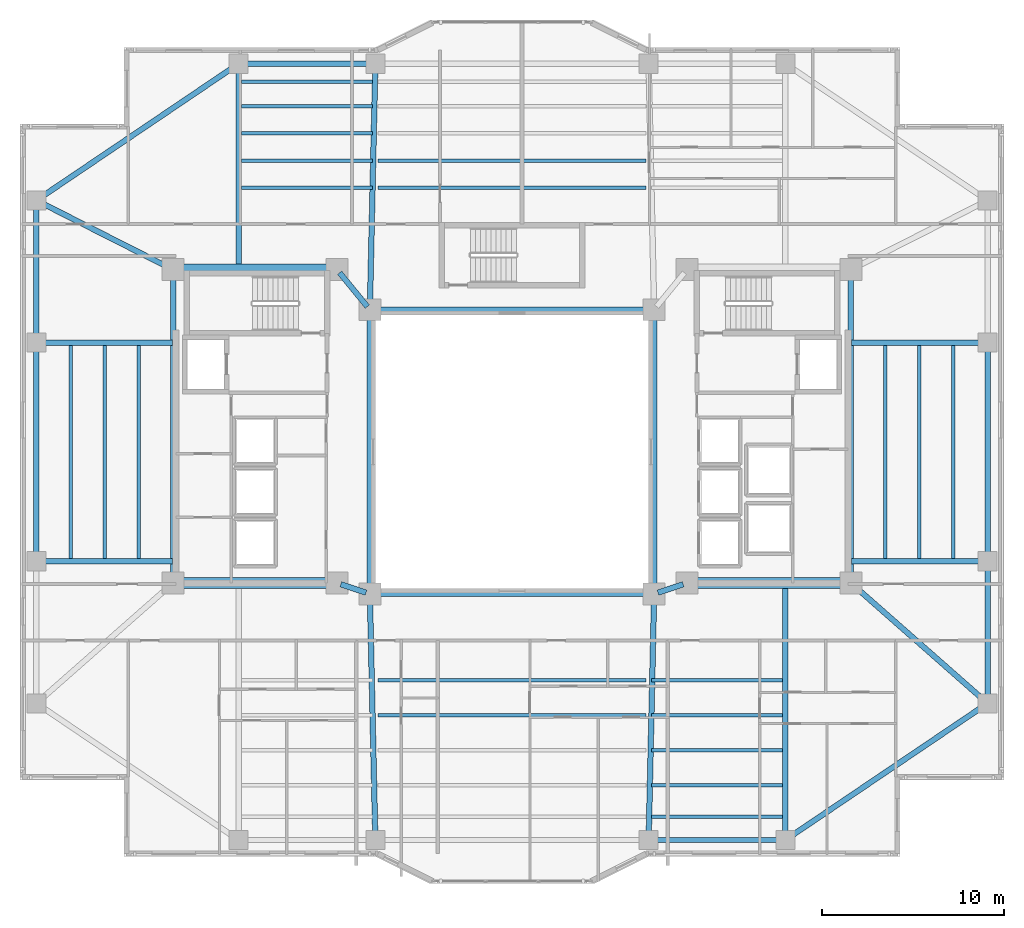
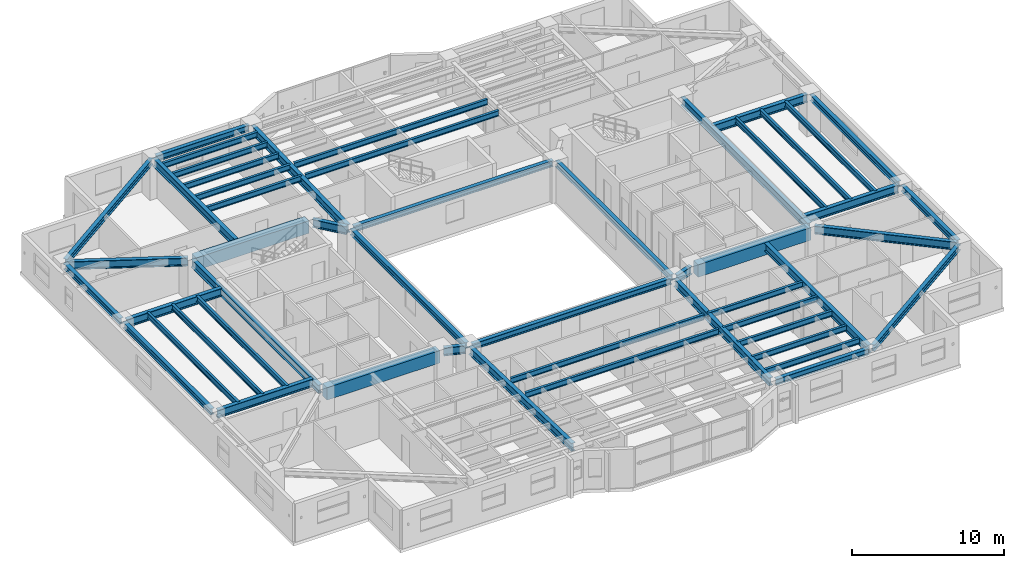
# One storey, part 3 of 18: 51 beams.
"""IFC4 building model written with IfcOpenShell, lengths in metres."""

from ifc_helpers import new_model, si_unit, direction, frame, origin, origin_2d, place, context, subcontext, project, spatial, rectangle, i_section, extrude, material, material_profile, profile_set, type_object, element, save


model = new_model("IFC4")

# Units and contexts
model_context = context("Model", 3, precision=1e-05, world=origin(), true_north=direction((0.0, 1.0)))
body_context = subcontext(model_context, "Body", "Model", "MODEL_VIEW")
ifc_project = project(units=[si_unit("LENGTHUNIT", "METRE"), si_unit("AREAUNIT", "SQUARE_METRE"), si_unit("VOLUMEUNIT", "CUBIC_METRE"), si_unit("PLANEANGLEUNIT", "RADIAN"), si_unit("MASSUNIT", "GRAM", prefix="KILO")], contexts=[model_context])

# Site, building, storey
site_placement = place(None, origin())
site = spatial("IfcSite", under=ifc_project, at=site_placement, CompositionType="ELEMENT")
building_placement = place(site_placement, origin())
building = spatial("IfcBuilding", under=site, at=building_placement, Name="Tarnavaz Court Tower", CompositionType="ELEMENT")
storey_placement = place(building_placement, frame((0.0, 0.0, 88.35009765625)))
storey = spatial("IfcBuildingStorey", under=building, at=storey_placement, Name="L23", CompositionType="ELEMENT", Elevation=88.35009765625)

# Beams
ifc_material_1 = material(Name="Concrete C60/75", Category="concrete")
ifc_material_profile_1 = material_profile(ifc_material_1, rectangle(XDim=0.60009765625, YDim=1.0, at=origin_2d()), Name="RC 600X1000")
ifc_profile_set_1 = profile_set([ifc_material_profile_1], Name="Concrete C60/75")
beam_type_1 = type_object("IfcBeamType", Name="BM-CB1000", PredefinedType="LINTEL", material=ifc_profile_set_1)
for number, where, z_axis, x_axis, name in (
    (1, (-18.3798828125, -7.199951171875, 2.599853515625), (1.0, 0.0, 0.0), (0.0, 1.0, 0.0), "L23 Beam IN-CW-SO-CW-SI"),
    (2, (-18.3798828125, 10.0, 2.599853515625), (1.0, 0.0, 0.0), (0.0, 1.0, 0.0), "L23 Beam IN-CW-NO-CW-NI"),
    (3, (18.3798828125, -7.199951171875, 2.599853515625), (-1.0, 0.0, 0.0), (0.0, -1.0, 0.0), "L23 Beam IN-CE-SO-CE-SI"),
):
    element("IfcBeam", number, at=place(storey_placement, frame(where, z_axis=z_axis, x_axis=x_axis)), inside=storey, type_object=beam_type_1, Name=name, PredefinedType="LINTEL", context=body_context, shape_type="SweptSolid", body=[
        extrude(rectangle(XDim=0.60009765625, YDim=1.0, at=origin_2d()), origin(), (0.0, 0.0, 1.0), 8.559814453125),
    ])
ifc_material_2 = material(Name="Steel S355", Category="steel")
ifc_material_profile_2 = material_profile(ifc_material_2, i_section(OverallWidth=0.300048828125, OverallDepth=0.64990234375, WebThickness=0.01611328125, FlangeThickness=0.031005859375, FilletRadius=0.027099609375, at=origin_2d()), Name="HEB 650")
ifc_profile_set_2 = profile_set([ifc_material_profile_2], Name="Steel S355")
beam_type_2 = type_object("IfcBeamType", Name="BM-G-HEB650", PredefinedType="USERDEFINED", material=ifc_profile_set_2)
for number, where, z_axis, x_axis, name in (
    (4, (-9.391357421875, -7.26953125, 2.77490234375), (0.948666544706, -0.316278021615, 0.0), (0.316278021615, 0.948666544706, 0.0), "L23 Beam IN-CW-SI-IW-SW"),
    (5, (9.391357421875, -7.26953125, 2.77490234375), (-0.948666544706, -0.316278021615, 0.0), (0.316278021615, -0.948666544706, 0.0), "L23 Beam IN-CE-SI-IW-SE"),
):
    element("IfcBeam", number, at=place(storey_placement, frame(where, z_axis=z_axis, x_axis=x_axis)), inside=storey, type_object=beam_type_2, Name=name, ObjectType="GIRDER", PredefinedType="USERDEFINED", context=body_context, shape_type="SweptSolid", body=[
        extrude(i_section(OverallWidth=0.300048828125, OverallDepth=0.64990234375, WebThickness=0.01611328125, FlangeThickness=0.031005859375, FilletRadius=0.027099609375, at=origin_2d()), origin(), (0.0, 0.0, 1.0), 1.457275390625),
    ])
beam_1_placement = place(storey_placement, frame((-9.460693359375, 9.82958984375, 2.77490234375), z_axis=(0.633282058357, -0.773921077735, 0.0), x_axis=(0.773921077735, 0.633282058357, 0.0)))
element("IfcBeam", 6, at=beam_1_placement, inside=storey, type_object=beam_type_2, Name="L23 Beam IN-CW-NI-IW-NW", ObjectType="GIRDER", PredefinedType="USERDEFINED", context=body_context, shape_type="SweptSolid", body=[
    extrude(i_section(OverallWidth=0.300048828125, OverallDepth=0.64990234375, WebThickness=0.01611328125, FlangeThickness=0.031005859375, FilletRadius=0.027099609375, at=origin_2d()), origin(), (0.0, 0.0, 1.0), 2.402587890625),
])
for number, where, z_axis, x_axis, name in (
    (7, (-18.60009765625, -6.97998046875, 2.77490234375), (0.0, 1.0, 0.0), (-1.0, 0.0, 0.0), "L23 Beam IN-CW-SO-CW-NO"),
    (8, (18.60009765625, -6.97998046875, 2.77490234375), (0.0, 1.0, 0.0), (-1.0, 0.0, 0.0), "L23 Beam IN-CE-SO-CE-NO"),
):
    element("IfcBeam", number, at=place(storey_placement, frame(where, z_axis=z_axis, x_axis=x_axis)), inside=storey, type_object=beam_type_2, Name=name, ObjectType="GIRDER", PredefinedType="USERDEFINED", context=body_context, shape_type="SweptSolid", body=[
        extrude(i_section(OverallWidth=0.300048828125, OverallDepth=0.64990234375, WebThickness=0.01611328125, FlangeThickness=0.031005859375, FilletRadius=0.027099609375, at=origin_2d()), origin(), (0.0, 0.0, 1.0), 16.760009765625),
    ])
beam_2_placement = place(storey_placement, frame((-15.0, 10.0400390625, 2.77490234375), z_axis=(0.0, 1.0, 0.0), x_axis=(-1.0, 0.0, 0.0)))
element("IfcBeam", 9, at=beam_2_placement, inside=storey, type_object=beam_type_2, Name="L23 Beam RG-01", ObjectType="GIRDER", PredefinedType="USERDEFINED", context=body_context, shape_type="SweptSolid", body=[
    extrude(i_section(OverallWidth=0.300048828125, OverallDepth=0.64990234375, WebThickness=0.01611328125, FlangeThickness=0.031005859375, FilletRadius=0.027099609375, at=origin_2d()), origin(), (0.0, 0.0, 1.0), 11.0400390625),
])
for number, where, z_axis, x_axis, name in (
    (10, (-7.795166015625, 8.02001953125, 2.77490234375), (0.022221303469, 0.99975307635, 0.0), (-0.99975307635, 0.022221303469, 0.0), "L23 Beam RG-02"),
    (11, (-7.795166015625, -8.02001953125, 2.77490234375), (0.022221303469, -0.99975307635, 0.0), (0.99975307635, 0.022221303469, 0.0), "L23 Beam RG-06"),
    (12, (7.795166015625, -8.02001953125, 2.77490234375), (-0.022221303469, -0.99975307635, 0.0), (0.99975307635, -0.022221303469, 0.0), "L23 Beam RG-07"),
):
    element("IfcBeam", number, at=place(storey_placement, frame(where, z_axis=z_axis, x_axis=x_axis)), inside=storey, type_object=beam_type_2, Name=name, ObjectType="GIRDER", PredefinedType="USERDEFINED", context=body_context, shape_type="SweptSolid", body=[
        extrude(i_section(OverallWidth=0.300048828125, OverallDepth=0.64990234375, WebThickness=0.01611328125, FlangeThickness=0.031005859375, FilletRadius=0.027099609375, at=origin_2d()), origin(), (0.0, 0.0, 1.0), 13.063232421875),
    ])
beam_3_placement = place(storey_placement, frame((15.0, -7.239990234375, 2.77490234375), z_axis=(0.0, -1.0, 0.0), x_axis=(1.0, 0.0, 0.0)))
element("IfcBeam", 13, at=beam_3_placement, inside=storey, type_object=beam_type_2, Name="L23 Beam RG-08", ObjectType="GIRDER", PredefinedType="USERDEFINED", context=body_context, shape_type="SweptSolid", body=[
    extrude(i_section(OverallWidth=0.300048828125, OverallDepth=0.64990234375, WebThickness=0.01611328125, FlangeThickness=0.031005859375, FilletRadius=0.027099609375, at=origin_2d()), origin(), (0.0, 0.0, 1.0), 13.840087890625),
])
for number, where, z_axis, x_axis, name in (
    (14, (18.639892578125, -6.0, 2.77490234375), (1.0, 0.0, 0.0), (0.0, 1.0, 0.0), "L23 Beam RG-09"),
    (15, (18.639892578125, 6.0, 2.77490234375), (1.0, 0.0, 0.0), (0.0, 1.0, 0.0), "L23 Beam RG-10"),
):
    element("IfcBeam", number, at=place(storey_placement, frame(where, z_axis=z_axis, x_axis=x_axis)), inside=storey, type_object=beam_type_2, Name=name, ObjectType="GIRDER", PredefinedType="USERDEFINED", context=body_context, shape_type="SweptSolid", body=[
        extrude(i_section(OverallWidth=0.300048828125, OverallDepth=0.64990234375, WebThickness=0.01611328125, FlangeThickness=0.031005859375, FilletRadius=0.027099609375, at=origin_2d()), origin(), (0.0, 0.0, 1.0), 7.239990234375),
    ])
beam_4_placement = place(storey_placement, frame((18.76513671875, -7.34521484375, 2.77490234375), z_axis=(0.750700332035, -0.660642877417, 0.0), x_axis=(0.660642877417, 0.750700332035, 0.0)))
element("IfcBeam", 16, at=beam_4_placement, inside=storey, type_object=beam_type_2, Name="L23 Beam RG-11", ObjectType="GIRDER", PredefinedType="USERDEFINED", context=body_context, shape_type="SweptSolid", body=[
    extrude(i_section(OverallWidth=0.300048828125, OverallDepth=0.64990234375, WebThickness=0.01611328125, FlangeThickness=0.031005859375, FilletRadius=0.027099609375, at=origin_2d()), origin(), (0.0, 0.0, 1.0), 9.550537109375),
])
for number, where, z_axis, x_axis, name in (
    (17, (-18.639892578125, -6.0, 2.77490234375), (-1.0, 0.0, 0.0), (0.0, -1.0, 0.0), "L23 Beam RG-13"),
    (18, (-18.639892578125, 6.0, 2.77490234375), (-1.0, 0.0, 0.0), (0.0, -1.0, 0.0), "L23 Beam RG-14"),
):
    element("IfcBeam", number, at=place(storey_placement, frame(where, z_axis=z_axis, x_axis=x_axis)), inside=storey, type_object=beam_type_2, Name=name, ObjectType="GIRDER", PredefinedType="USERDEFINED", context=body_context, shape_type="SweptSolid", body=[
        extrude(i_section(OverallWidth=0.300048828125, OverallDepth=0.64990234375, WebThickness=0.01611328125, FlangeThickness=0.031005859375, FilletRadius=0.027099609375, at=origin_2d()), origin(), (0.0, 0.0, 1.0), 7.239990234375),
    ])
beam_5_placement = place(storey_placement, frame((-18.796142578125, 10.099365234375, 2.77490234375), z_axis=(-0.892030669981, 0.451974870776, 0.0), x_axis=(-0.451974870776, -0.892030669981, 0.0)))
element("IfcBeam", 19, at=beam_5_placement, inside=storey, type_object=beam_type_2, Name="L23 Beam RG-16", ObjectType="GIRDER", PredefinedType="USERDEFINED", context=body_context, shape_type="SweptSolid", body=[
    extrude(i_section(OverallWidth=0.300048828125, OverallDepth=0.64990234375, WebThickness=0.01611328125, FlangeThickness=0.031005859375, FilletRadius=0.027099609375, at=origin_2d()), origin(), (0.0, 0.0, 1.0), 7.968017578125),
])
ifc_material_profile_3 = material_profile(ifc_material_2, i_section(OverallWidth=0.18994140625, OverallDepth=0.449951171875, WebThickness=0.009521484375, FlangeThickness=0.0146484375, FilletRadius=0.02099609375, at=origin_2d()), Name="IPE 450")
ifc_profile_set_3 = profile_set([ifc_material_profile_3], Name="Steel S355")
beam_type_3 = type_object("IfcBeamType", Name="BM-J-IPE450", PredefinedType="JOIST", material=ifc_profile_set_3)
beam_6_placement = place(storey_placement, frame((-14.85009765625, 14.493896484375, 2.875), z_axis=(1.0, 0.0, 0.0), x_axis=(0.0, 1.0, 0.0)))
element("IfcBeam", 20, at=beam_6_placement, inside=storey, type_object=beam_type_3, Name="L23 Beam JN1-1", PredefinedType="JOIST", context=body_context, shape_type="SweptSolid", body=[
    extrude(i_section(OverallWidth=0.18994140625, OverallDepth=0.449951171875, WebThickness=0.009521484375, FlangeThickness=0.0146484375, FilletRadius=0.02099609375, at=origin_2d()), origin(), (0.0, 0.0, 1.0), 7.2001953125),
])
for number, where, z_axis, x_axis, name in (
    (21, (-7.35009765625, 14.493896484375, 2.875), (1.0, 0.0, 0.0), (0.0, 1.0, 0.0), "L23 Beam JN1-2"),
    (22, (-7.35009765625, -12.52587890625, 2.875), (1.0, 0.0, 0.0), (0.0, 1.0, 0.0), "L23 Beam JS1-2"),
):
    element("IfcBeam", number, at=place(storey_placement, frame(where, z_axis=z_axis, x_axis=x_axis)), inside=storey, type_object=beam_type_3, Name=name, PredefinedType="JOIST", context=body_context, shape_type="SweptSolid", body=[
        extrude(i_section(OverallWidth=0.18994140625, OverallDepth=0.449951171875, WebThickness=0.009521484375, FlangeThickness=0.0146484375, FilletRadius=0.02099609375, at=origin_2d()), origin(), (0.0, 0.0, 1.0), 14.7001953125),
    ])
for number, where, z_axis, x_axis, name in (
    (23, (7.64990234375, -12.52587890625, 2.875), (1.0, 0.0, 0.0), (0.0, 1.0, 0.0), "L23 Beam JS1-3"),
    (24, (-14.85009765625, 15.988037109375, 2.875), (1.0, 0.0, 0.0), (0.0, 1.0, 0.0), "L23 Beam JN2-1"),
):
    element("IfcBeam", number, at=place(storey_placement, frame(where, z_axis=z_axis, x_axis=x_axis)), inside=storey, type_object=beam_type_3, Name=name, PredefinedType="JOIST", context=body_context, shape_type="SweptSolid", body=[
        extrude(i_section(OverallWidth=0.18994140625, OverallDepth=0.449951171875, WebThickness=0.009521484375, FlangeThickness=0.0146484375, FilletRadius=0.02099609375, at=origin_2d()), origin(), (0.0, 0.0, 1.0), 7.2001953125),
    ])
for number, where, z_axis, x_axis, name in (
    (25, (-7.35009765625, 15.988037109375, 2.875), (1.0, 0.0, 0.0), (0.0, 1.0, 0.0), "L23 Beam JN2-2"),
    (26, (-7.35009765625, -14.451904296875, 2.875), (1.0, 0.0, 0.0), (0.0, 1.0, 0.0), "L23 Beam JS2-2"),
):
    element("IfcBeam", number, at=place(storey_placement, frame(where, z_axis=z_axis, x_axis=x_axis)), inside=storey, type_object=beam_type_3, Name=name, PredefinedType="JOIST", context=body_context, shape_type="SweptSolid", body=[
        extrude(i_section(OverallWidth=0.18994140625, OverallDepth=0.449951171875, WebThickness=0.009521484375, FlangeThickness=0.0146484375, FilletRadius=0.02099609375, at=origin_2d()), origin(), (0.0, 0.0, 1.0), 14.7001953125),
    ])
for number, where, z_axis, x_axis, name in (
    (27, (7.64990234375, -14.451904296875, 2.875), (1.0, 0.0, 0.0), (0.0, 1.0, 0.0), "L23 Beam JS2-3"),
    (28, (-14.85009765625, 17.48193359375, 2.875), (1.0, 0.0, 0.0), (0.0, 1.0, 0.0), "L23 Beam JN3-1"),
    (29, (7.64990234375, -16.3779296875, 2.875), (1.0, 0.0, 0.0), (0.0, 1.0, 0.0), "L23 Beam JS3-3"),
    (30, (-14.85009765625, 18.97607421875, 2.875), (1.0, 0.0, 0.0), (0.0, 1.0, 0.0), "L23 Beam JN4-1"),
    (31, (7.64990234375, -18.303955078125, 2.875), (1.0, 0.0, 0.0), (0.0, 1.0, 0.0), "L23 Beam JS4-3"),
    (32, (-14.85009765625, 20.303955078125, 2.875), (1.0, 0.0, 0.0), (0.0, 1.0, 0.0), "L23 Beam JN5-1"),
    (33, (7.64990234375, -20.01611328125, 2.875), (1.0, 0.0, 0.0), (0.0, 1.0, 0.0), "L23 Beam JS5-3"),
):
    element("IfcBeam", number, at=place(storey_placement, frame(where, z_axis=z_axis, x_axis=x_axis)), inside=storey, type_object=beam_type_3, Name=name, PredefinedType="JOIST", context=body_context, shape_type="SweptSolid", body=[
        extrude(i_section(OverallWidth=0.18994140625, OverallDepth=0.449951171875, WebThickness=0.009521484375, FlangeThickness=0.0146484375, FilletRadius=0.02099609375, at=origin_2d()), origin(), (0.0, 0.0, 1.0), 7.2001953125),
    ])
for number, where, z_axis, x_axis, name in (
    (34, (20.47509765625, -5.9599609375, 2.875), (0.0, 1.0, 0.0), (-1.0, 0.0, 0.0), "L23 Beam JE1"),
    (35, (-20.47509765625, -5.9599609375, 2.875), (0.0, 1.0, 0.0), (-1.0, 0.0, 0.0), "L23 Beam JW1"),
    (36, (22.35009765625, -5.9599609375, 2.875), (0.0, 1.0, 0.0), (-1.0, 0.0, 0.0), "L23 Beam JE2"),
    (37, (-22.35009765625, -5.9599609375, 2.875), (0.0, 1.0, 0.0), (-1.0, 0.0, 0.0), "L23 Beam JW2"),
    (38, (24.22509765625, -5.9599609375, 2.875), (0.0, 1.0, 0.0), (-1.0, 0.0, 0.0), "L23 Beam JE3"),
    (39, (-24.22509765625, -5.9599609375, 2.875), (0.0, 1.0, 0.0), (-1.0, 0.0, 0.0), "L23 Beam JW3"),
):
    element("IfcBeam", number, at=place(storey_placement, frame(where, z_axis=z_axis, x_axis=x_axis)), inside=storey, type_object=beam_type_3, Name=name, PredefinedType="JOIST", context=body_context, shape_type="SweptSolid", body=[
        extrude(i_section(OverallWidth=0.18994140625, OverallDepth=0.449951171875, WebThickness=0.009521484375, FlangeThickness=0.0146484375, FilletRadius=0.02099609375, at=origin_2d()), origin(), (0.0, 0.0, 1.0), 11.919921875),
    ])
ifc_material_profile_4 = material_profile(ifc_material_2, i_section(OverallWidth=0.300048828125, OverallDepth=0.489990234375, WebThickness=0.011962890625, FlangeThickness=0.02294921875, FilletRadius=0.027099609375, at=origin_2d()), Name="HEA 500")
ifc_profile_set_4 = profile_set([ifc_material_profile_4], Name="Steel S355")
beam_type_4 = type_object("IfcBeamType", Name="BM-SP-HEA500", PredefinedType="SPANDREL", material=ifc_profile_set_4)
for number, where, z_axis, x_axis, name in (
    (40, (-7.580078125, -7.800048828125, 2.85498046875), (1.0, 0.0, 0.0), (0.0, 1.0, 0.0), "L23 Beam IN-IW-SW-IW-SE"),
    (41, (-7.580078125, 7.800048828125, 2.85498046875), (1.0, 0.0, 0.0), (0.0, 1.0, 0.0), "L23 Beam IN-IW-NW-IW-NE"),
    (42, (-7.800048828125, -7.580078125, 2.85498046875), (0.0, 1.0, 0.0), (-1.0, 0.0, 0.0), "L23 Beam IN-IW-SW-IW-NW"),
    (43, (7.800048828125, -7.580078125, 2.85498046875), (0.0, 1.0, 0.0), (-1.0, 0.0, 0.0), "L23 Beam IN-IW-SE-IW-NE"),
):
    element("IfcBeam", number, at=place(storey_placement, frame(where, z_axis=z_axis, x_axis=x_axis)), inside=storey, type_object=beam_type_4, Name=name, PredefinedType="SPANDREL", context=body_context, shape_type="SweptSolid", body=[
        extrude(i_section(OverallWidth=0.300048828125, OverallDepth=0.489990234375, WebThickness=0.011962890625, FlangeThickness=0.02294921875, FilletRadius=0.027099609375, at=origin_2d()), origin(), (0.0, 0.0, 1.0), 15.16015625),
    ])
for number, where, z_axis, x_axis, name in (
    (44, (-14.780029296875, 21.300048828125, 2.85498046875), (1.0, 0.0, 0.0), (0.0, 1.0, 0.0), "L23 Beam PR-PN-1-PN-2"),
    (45, (7.719970703125, -21.300048828125, 2.85498046875), (1.0, 0.0, 0.0), (0.0, 1.0, 0.0), "L23 Beam PR-PS-3-PS-4"),
):
    element("IfcBeam", number, at=place(storey_placement, frame(where, z_axis=z_axis, x_axis=x_axis)), inside=storey, type_object=beam_type_4, Name=name, PredefinedType="SPANDREL", context=body_context, shape_type="SweptSolid", body=[
        extrude(i_section(OverallWidth=0.300048828125, OverallDepth=0.489990234375, WebThickness=0.011962890625, FlangeThickness=0.02294921875, FilletRadius=0.027099609375, at=origin_2d()), origin(), (0.0, 0.0, 1.0), 7.06005859375),
    ])
beam_7_placement = place(storey_placement, frame((26.10009765625, -13.580078125, 2.85498046875), z_axis=(0.0, 1.0, 0.0), x_axis=(-1.0, 0.0, 0.0)))
element("IfcBeam", 46, at=beam_7_placement, inside=storey, type_object=beam_type_4, Name="L23 Beam PR-PE-1-PE-2", PredefinedType="SPANDREL", context=body_context, shape_type="SweptSolid", body=[
    extrude(i_section(OverallWidth=0.300048828125, OverallDepth=0.489990234375, WebThickness=0.011962890625, FlangeThickness=0.02294921875, FilletRadius=0.027099609375, at=origin_2d()), origin(), (0.0, 0.0, 1.0), 7.360107421875),
])
for number, where, z_axis, x_axis, name in (
    (47, (26.10009765625, -5.780029296875, 2.85498046875), (0.0, 1.0, 0.0), (-1.0, 0.0, 0.0), "L23 Beam PR-PE-2-PE-3"),
    (48, (-26.10009765625, -5.780029296875, 2.85498046875), (0.0, 1.0, 0.0), (-1.0, 0.0, 0.0), "L23 Beam PR-PW-2-PW-3"),
):
    element("IfcBeam", number, at=place(storey_placement, frame(where, z_axis=z_axis, x_axis=x_axis)), inside=storey, type_object=beam_type_4, Name=name, PredefinedType="SPANDREL", context=body_context, shape_type="SweptSolid", body=[
        extrude(i_section(OverallWidth=0.300048828125, OverallDepth=0.489990234375, WebThickness=0.011962890625, FlangeThickness=0.02294921875, FilletRadius=0.027099609375, at=origin_2d()), origin(), (0.0, 0.0, 1.0), 11.56005859375),
    ])
beam_8_placement = place(storey_placement, frame((-26.10009765625, 6.219970703125, 2.85498046875), z_axis=(0.0, 1.0, 0.0), x_axis=(-1.0, 0.0, 0.0)))
element("IfcBeam", 49, at=beam_8_placement, inside=storey, type_object=beam_type_4, Name="L23 Beam PR-PW-3-PW-4", PredefinedType="SPANDREL", context=body_context, shape_type="SweptSolid", body=[
    extrude(i_section(OverallWidth=0.300048828125, OverallDepth=0.489990234375, WebThickness=0.011962890625, FlangeThickness=0.02294921875, FilletRadius=0.027099609375, at=origin_2d()), origin(), (0.0, 0.0, 1.0), 7.360107421875),
])
for number, where, z_axis, x_axis, name in (
    (50, (25.917724609375, -13.923095703125, 2.85498046875), (-0.828587314918, -0.559859858854, 0.0), (0.559859858854, -0.828587314918, 0.0), "L23 Beam PR-PE-1-PS-4"),
    (51, (-25.917724609375, 13.923095703125, 2.85498046875), (0.828587314918, 0.559859858854, 0.0), (-0.559859858854, 0.828587314918, 0.0), "L23 Beam PR-PW-4-PN-1"),
):
    element("IfcBeam", number, at=place(storey_placement, frame(where, z_axis=z_axis, x_axis=x_axis)), inside=storey, type_object=beam_type_4, Name=name, PredefinedType="SPANDREL", context=body_context, shape_type="SweptSolid", body=[
        extrude(i_section(OverallWidth=0.300048828125, OverallDepth=0.489990234375, WebThickness=0.011962890625, FlangeThickness=0.02294921875, FilletRadius=0.027099609375, at=origin_2d()), origin(), (0.0, 0.0, 1.0), 12.956298828125),
    ])

save(model, "model.ifc")
